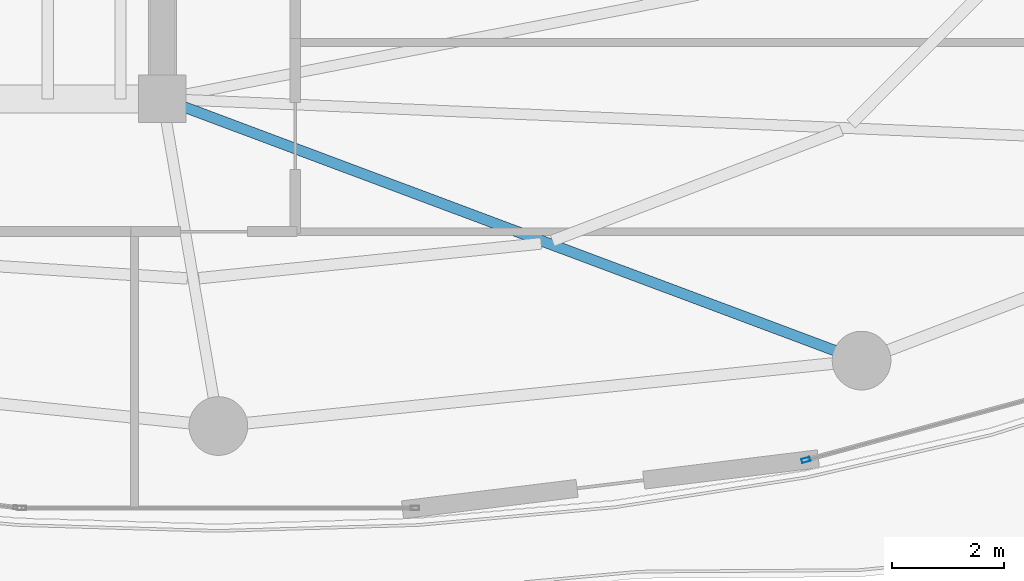
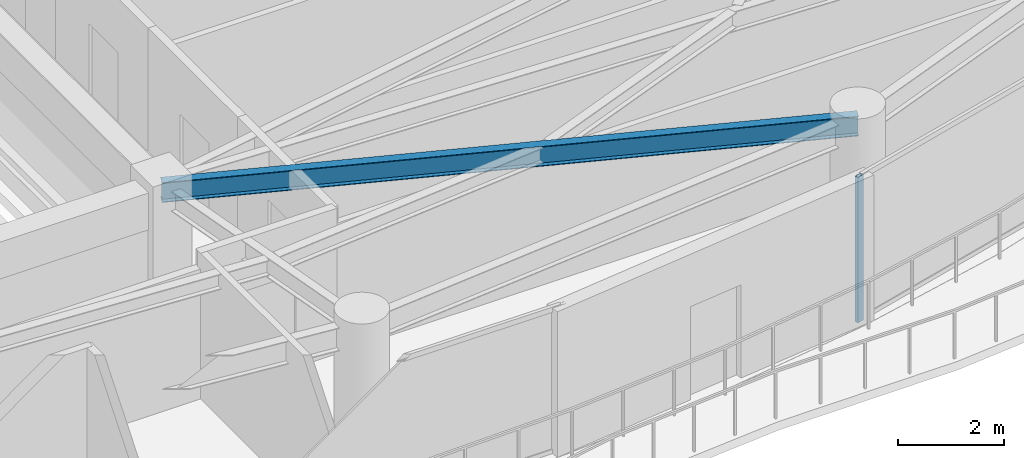
# One storey, part 11 of 31: 1 beam, 1 member, 1 element without a shape of its own.
"""IFC4 building model written with IfcOpenShell, lengths in metres."""

from ifc_helpers import new_model, si_unit, direction, frame, origin, origin_2d, place, context, subcontext, project, spatial, hollow_rectangle, i_section, extrude, material, layer, layer_set, material_profile, profile_set, type_object, element, aggregate, save


model = new_model("IFC4")

# Units and contexts
model_context = context("Model", 3, precision=1e-05, world=origin(), true_north=direction((0.0, 1.0)))
body_context = subcontext(model_context, "Body", "Model", "MODEL_VIEW")
ifc_project = project(units=[si_unit("LENGTHUNIT", "METRE"), si_unit("AREAUNIT", "SQUARE_METRE"), si_unit("VOLUMEUNIT", "CUBIC_METRE"), si_unit("PLANEANGLEUNIT", "RADIAN"), si_unit("MASSUNIT", "GRAM", prefix="KILO")], contexts=[model_context])

# Site, building, storey
site_placement = place(None, origin())
site = spatial("IfcSite", under=ifc_project, at=site_placement, CompositionType="ELEMENT")
building_placement = place(site_placement, origin())
building = spatial("IfcBuilding", under=site, at=building_placement, Name="Kazevale Care Tower and Concert Hall", CompositionType="ELEMENT")
storey_placement = place(building_placement, frame((0.0, 0.0, 210.0)))
storey = spatial("IfcBuildingStorey", under=building, at=storey_placement, Name="L55", CompositionType="ELEMENT", Elevation=210.0)

# Curtain wall, member
ifc_material_1 = material(Name="Aluminium 6063-T6 and Low-E Glass", Category="aluminium")
ifc_layer = layer(ifc_material_1, 0.179931640625)
ifc_layer_set = layer_set([ifc_layer], Name="Aluminium 6063-T6 and Low-E Glass")
curtain_wall_type = type_object("IfcCurtainWallType", Name="Sheltered Concave Balcony Curtain Wall CW-5", PredefinedType="NOTDEFINED", material=ifc_layer_set)
curtain_wall_placement = place(storey_placement, origin())
curtain_wall = element("IfcCurtainWall", 1, at=curtain_wall_placement, inside=storey, type_object=curtain_wall_type, Name="cw:L55:f04", PredefinedType="NOTDEFINED")
ifc_material_2 = material(Name="Aluminium 6063-T6", Category="aluminium")
ifc_material_profile_1 = material_profile(ifc_material_2, hollow_rectangle(XDim=0.074951171875, YDim=0.14990234375, WallThickness=0.00390625, at=origin_2d()), Name="ALU75x150x4")
ifc_profile_set_1 = profile_set([ifc_material_profile_1], Name="Aluminium 6063-T6")
member_type = type_object("IfcMemberType", Name="CW-5 Mullion ALU75x150x4", PredefinedType="MULLION", material=ifc_profile_set_1)
member_placement = place(storey_placement, frame((55.505126953125, 17.142822265625, 0.0), z_axis=(0.0, 0.0, 1.0), x_axis=(0.262848968947, -0.964836991167, 0.0)))
member = element("IfcMember", 2, at=member_placement, type_object=member_type, Name="CW-5 mullion 2", PredefinedType="MULLION", context=body_context, shape_type="SweptSolid", body=[
    extrude(hollow_rectangle(XDim=0.074951171875, YDim=0.14990234375, WallThickness=0.00390625, at=origin_2d()), origin(), (0.0, 0.0, 1.0), 3.360107421875),
])
aggregate(curtain_wall, [member])

# Beam
ifc_material_3 = material(Name="Steel ASTM A572 Gr 50", Category="steel")
ifc_material_profile_2 = material_profile(ifc_material_3, i_section(OverallWidth=0.19091796875, OverallDepth=0.4599609375, WebThickness=0.010009765625, FlangeThickness=0.01611328125, at=origin_2d()), Name="W460x82")
ifc_profile_set_2 = profile_set([ifc_material_profile_2], Name="Steel ASTM A572 Gr 50")
beam_type = type_object("IfcBeamType", Name="Radial Floor Beam W460x82", PredefinedType="BEAM", material=ifc_profile_set_2)
beam_placement = place(storey_placement, frame((44.0, 23.60009765625, 3.1298828125), z_axis=(0.936509460339, -0.350642311615, 0.0), x_axis=(0.350642311615, 0.936509460339, 0.0)))
element("IfcBeam", 3, at=beam_placement, inside=storey, type_object=beam_type, Name="beam:L55:rad:14", PredefinedType="BEAM", context=body_context, shape_type="SweptSolid", body=[
    extrude(i_section(OverallWidth=0.19091796875, OverallDepth=0.4599609375, WebThickness=0.010009765625, FlangeThickness=0.01611328125, at=origin_2d()), origin(), (0.0, 0.0, 1.0), 13.347412109375),
])

save(model, "model.ifc")
